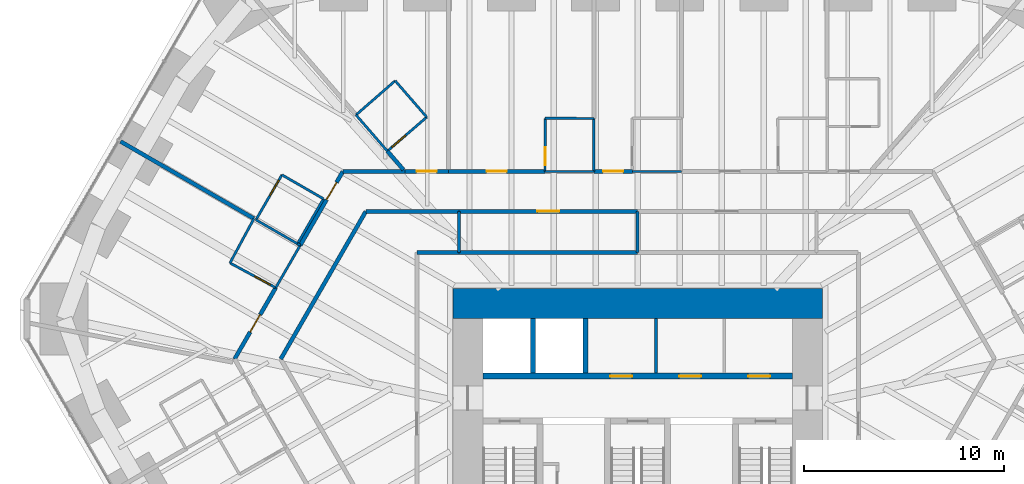
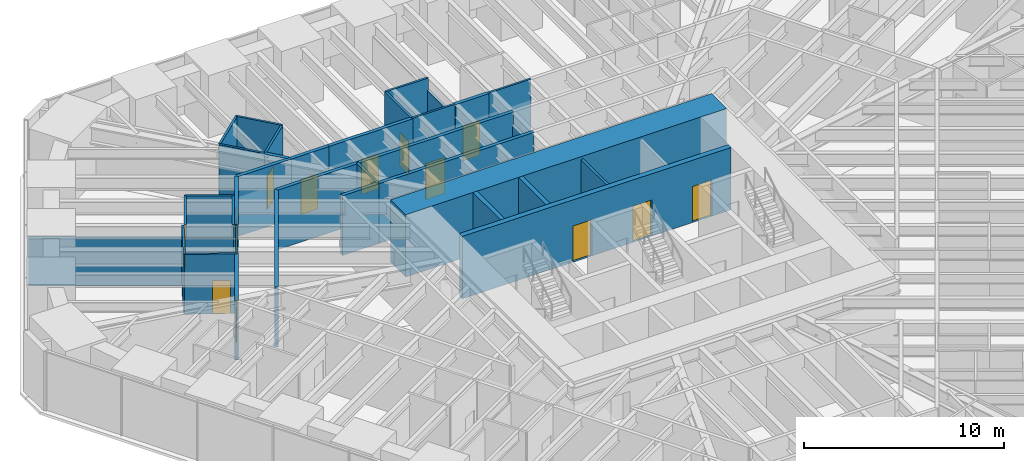
# One storey, part 14 of 17: 37 walls, 13 doors, 13 openings.
"""IFC4 building model written with IfcOpenShell, lengths in metres."""

from ifc_helpers import new_model, si_unit, direction, frame, frame_2d, origin, place, context, subcontext, project, spatial, rectangle, extrude, material, layer, layer_set, type_object, element, fill, save


model = new_model("IFC4")

# Units and contexts
model_context = context("Model", 3, precision=1e-05, world=origin(), true_north=direction((0.0, 1.0)))
body_context = subcontext(model_context, "Body", "Model", "MODEL_VIEW")
ifc_project = project(units=[si_unit("LENGTHUNIT", "METRE"), si_unit("AREAUNIT", "SQUARE_METRE"), si_unit("VOLUMEUNIT", "CUBIC_METRE"), si_unit("PLANEANGLEUNIT", "RADIAN"), si_unit("MASSUNIT", "GRAM", prefix="KILO")], contexts=[model_context])

# Site, building, storey
site_placement = place(None, origin())
site = spatial("IfcSite", under=ifc_project, at=site_placement, CompositionType="ELEMENT")
building_placement = place(site_placement, origin())
building = spatial("IfcBuilding", under=site, at=building_placement, Name="Sandreach Pilgrim Tower", CompositionType="ELEMENT")
storey_placement = place(building_placement, frame((0.0, 0.0, 30.60009765625)))
storey = spatial("IfcBuildingStorey", under=building, at=storey_placement, Name="L06", CompositionType="ELEMENT", Elevation=30.60009765625)

# Walls
ifc_material_1 = material(Name="Gypsum board on steel studs", Category="steel")
ifc_layer_1 = layer(ifc_material_1, 0.14990234375)
ifc_layer_set_1 = layer_set([ifc_layer_1], Name="Back of house wall 150")
wall_type_1 = type_object("IfcWallType", Name="Back of house wall 150", PredefinedType="PARTITIONING", material=ifc_layer_set_1)
wall_1_placement = place(storey_placement, frame((-8.93994140625, 11.449951171875, 0.0), z_axis=(0.0, 0.0, 1.0), x_axis=(0.0, -1.0, 0.0)))
element("IfcWall", 1, at=wall_1_placement, inside=storey, type_object=wall_type_1, Name="Back of house wall L06-056", PredefinedType="PARTITIONING", context=body_context, shape_type="SweptSolid", body=[
    extrude(rectangle(XDim=2.050048828125, YDim=0.14990234375, at=frame_2d((1.02490234375, 0.0))), origin(), (0.0, 0.0, 1.0), 3.639892578125),
])
wall_2_placement = place(storey_placement, frame((0.0, 11.449951171875, 0.0), z_axis=(0.0, 0.0, 1.0), x_axis=(0.0, -1.0, 0.0)))
element("IfcWall", 2, at=wall_2_placement, inside=storey, type_object=wall_type_1, Name="Back of house wall L06-085", PredefinedType="PARTITIONING", context=body_context, shape_type="SweptSolid", body=[
    extrude(rectangle(XDim=2.050048828125, YDim=0.14990234375, at=frame_2d((1.02490234375, 0.0))), origin(), (0.0, 0.0, 1.0), 2.8779296875),
])
wall_3_placement = place(storey_placement, frame((0.916748046875, 3.35009765625, 0.0), z_axis=(0.0, 0.0, 1.0), x_axis=(0.0, 1.0, 0.0)))
element("IfcWall", 3, at=wall_3_placement, inside=storey, type_object=wall_type_1, Name="Core room partition L06 1", PredefinedType="PARTITIONING", context=body_context, shape_type="SweptSolid", body=[
    extrude(rectangle(XDim=2.75, YDim=0.14990234375, at=frame_2d((1.375, 0.0))), origin(), (0.0, 0.0, 1.0), 3.639892578125),
])

# Wall, opening, door
ifc_material_2 = material(Name="Moisture-resistant gypsum board on steel studs", Category="steel")
ifc_layer_2 = layer(ifc_material_2, 0.1201171875)
ifc_layer_set_2 = layer_set([ifc_layer_2], Name="Bathroom partition 120")
wall_type_2 = type_object("IfcWallType", Name="Bathroom partition 120", PredefinedType="PARTITIONING", material=ifc_layer_set_2)
wall_4_placement = place(storey_placement, frame((-20.409912109375, 8.8701171875, 0.0), z_axis=(0.0, 0.0, 1.0), x_axis=(0.879324680711, -0.476222748189, 0.0)))
wall_4 = element("IfcWall", 4, at=wall_4_placement, inside=storey, type_object=wall_type_2, Name="Bathroom partition L06-012", PredefinedType="PARTITIONING", context=body_context, shape_type="SweptSolid", body=[
    extrude(rectangle(XDim=2.604248046875, YDim=0.1201171875, at=frame_2d((1.30224609375, 0.0))), origin(), (0.0, 0.0, 1.0), 3.639892578125),
])
opening_1_placement = place(wall_4_placement, frame((1.404296875, 0.0, 0.0)))
opening_1 = element("IfcOpeningElement", 5, at=opening_1_placement, cuts=wall_4, Name="Opening D09-20B", PredefinedType="OPENING", context=body_context, shape_type="SweptSolid", body=[
    extrude(rectangle(XDim=0.89990234375, YDim=2.030029296875, at=frame_2d((0.449951171875, 1.01513671875))), frame((0.0, 0.06005859375, 0.0), z_axis=(0.0, -1.0, 0.0), x_axis=(1.0, 0.0, 0.0)), (0.0, 0.0, 1.0), 0.1201171875),
])
ifc_material_3 = material(Name="Timber door, steel frame", Category="steel")
door_type_1 = type_object("IfcDoorType", Name="Bathroom door", OperationType="SINGLE_SWING_LEFT", PredefinedType="DOOR", material=ifc_material_3)
door_1_placement = place(opening_1_placement, origin())
door_1 = element("IfcDoor", 6, at=door_1_placement, inside=storey, type_object=door_type_1, Name="Door 0620B", OperationType="SINGLE_SWING_RIGHT", OverallHeight=2.030029296875, OverallWidth=0.89990234375, PredefinedType="DOOR", context=body_context, shape_type="SweptSolid", body=[
    extrude(rectangle(XDim=0.89990234375, YDim=2.030029296875, at=frame_2d((0.449951171875, 1.01513671875))), frame((0.0, 0.02490234375, 0.0), z_axis=(0.0, -1.0, 0.0), x_axis=(1.0, 0.0, 0.0)), (0.0, 0.0, 1.0), 0.050048828125),
])
fill(opening_1, door_1)

# Walls
wall_5_placement = place(storey_placement, frame((-19.2099609375, 11.090087890625, 0.0), z_axis=(0.0, 0.0, 1.0), x_axis=(-0.475466449919, -0.879733854641, 0.0)))
element("IfcWall", 7, at=wall_5_placement, inside=storey, type_object=wall_type_2, Name="Bathroom partition L06-018", PredefinedType="PARTITIONING", context=body_context, shape_type="SweptSolid", body=[
    extrude(rectangle(XDim=2.523681640625, YDim=0.1201171875, at=frame_2d((1.26171875, 0.0))), origin(), (0.0, 0.0, 1.0), 3.639892578125),
])
wall_6_placement = place(storey_placement, frame((-19.110107421875, 11.030029296875, 0.0), z_axis=(0.0, 0.0, 1.0), x_axis=(0.866202511239, -0.499693115345, 0.0)))
element("IfcWall", 8, at=wall_6_placement, inside=storey, type_object=wall_type_2, Name="Bathroom partition L06-019", PredefinedType="PARTITIONING", context=body_context, shape_type="SweptSolid", body=[
    extrude(rectangle(XDim=2.4013671875, YDim=0.1201171875, at=frame_2d((1.20068359375, 0.0))), origin(), (0.0, 0.0, 1.0), 2.860107421875),
])
wall_7_placement = place(storey_placement, frame((-18.11962890625, 7.629638671875, 0.0), z_axis=(0.0, 0.0, 1.0), x_axis=(0.499957770222, 0.866049783786, 0.0)))
element("IfcWall", 9, at=wall_7_placement, inside=storey, type_object=wall_type_2, Name="Bathroom partition L06-021", PredefinedType="PARTITIONING", context=body_context, shape_type="SweptSolid", body=[
    extrude(rectangle(XDim=2.454833984375, YDim=0.1201171875, at=frame_2d((1.2275390625, 0.0))), origin(), (0.0, 0.0, 1.0), 3.639892578125),
])

# Wall, opening, door
wall_8_placement = place(storey_placement, frame((-17.81005859375, 13.280029296875, 0.0), z_axis=(0.0, 0.0, 1.0), x_axis=(-0.500291685314, -0.865856933682, 0.0)))
wall_8 = element("IfcWall", 10, at=wall_8_placement, inside=storey, type_object=wall_type_2, Name="Bathroom partition L06-023", PredefinedType="PARTITIONING", context=body_context, shape_type="SweptSolid", body=[
    extrude(rectangle(XDim=2.5986328125, YDim=0.1201171875, at=frame_2d((1.29931640625, 0.0))), origin(), (0.0, 0.0, 1.0), 3.639892578125),
])
opening_2_placement = place(wall_8_placement, frame((0.300048828125, 0.0, 0.0)))
opening_2 = element("IfcOpeningElement", 11, at=opening_2_placement, cuts=wall_8, Name="Opening D09-21B", PredefinedType="OPENING", context=body_context, shape_type="SweptSolid", body=[
    extrude(rectangle(XDim=0.89990234375, YDim=2.030029296875, at=frame_2d((0.449951171875, 1.01513671875))), frame((0.0, 0.06005859375, 0.0), z_axis=(0.0, -1.0, 0.0), x_axis=(1.0, 0.0, 0.0)), (0.0, 0.0, 1.0), 0.1201171875),
])
door_2_placement = place(opening_2_placement, origin())
door_2 = element("IfcDoor", 12, at=door_2_placement, inside=storey, type_object=door_type_1, Name="Door 0621B", OperationType="SINGLE_SWING_LEFT", OverallHeight=2.030029296875, OverallWidth=0.89990234375, PredefinedType="DOOR", context=body_context, shape_type="SweptSolid", body=[
    extrude(rectangle(XDim=0.89990234375, YDim=2.030029296875, at=frame_2d((0.449951171875, 1.01513671875))), frame((0.0, 0.02490234375, 0.0), z_axis=(0.0, -1.0, 0.0), x_axis=(1.0, 0.0, 0.0)), (0.0, 0.0, 1.0), 0.050048828125),
])
fill(opening_2, door_2)

# Walls
wall_9_placement = place(storey_placement, frame((-17.030029296875, 9.830078125, 0.0), z_axis=(0.0, 0.0, 1.0), x_axis=(0.880098986228, -0.47479024257, 0.0)))
element("IfcWall", 13, at=wall_9_placement, inside=storey, type_object=wall_type_2, Name="Bathroom partition L06-025", PredefinedType="PARTITIONING", context=body_context, shape_type="SweptSolid", body=[
    extrude(rectangle(XDim=0.1474609375, YDim=0.1201171875, at=frame_2d((0.07373046875, 0.0))), origin(), (0.0, 0.0, 1.0), 3.639892578125),
])
wall_10_placement = place(storey_placement, frame((-17.030029296875, 9.830078125, 0.0), z_axis=(0.0, 0.0, 1.0), x_axis=(0.500291685314, 0.865856933682, 0.0)))
element("IfcWall", 14, at=wall_10_placement, inside=storey, type_object=wall_type_2, Name="Bathroom partition L06-026", PredefinedType="PARTITIONING", context=body_context, shape_type="SweptSolid", body=[
    extrude(rectangle(XDim=2.5986328125, YDim=0.1201171875, at=frame_2d((1.29931640625, 0.0))), origin(), (0.0, 0.0, 1.0), 3.639892578125),
])
wall_11_placement = place(storey_placement, frame((-15.72998046875, 12.080078125, 0.0), z_axis=(0.0, 0.0, 1.0), x_axis=(-0.866202511239, 0.499693115345, 0.0)))
element("IfcWall", 15, at=wall_11_placement, inside=storey, type_object=wall_type_2, Name="Bathroom partition L06-030", PredefinedType="PARTITIONING", context=body_context, shape_type="SweptSolid", body=[
    extrude(rectangle(XDim=2.4013671875, YDim=0.1201171875, at=frame_2d((1.20068359375, 0.0))), origin(), (0.0, 0.0, 1.0), 3.639892578125),
])
wall_12_placement = place(storey_placement, frame((-14.101318359375, 16.27880859375, 0.0), z_axis=(0.0, 0.0, 1.0), x_axis=(0.654868469202, -0.755742871647, 0.0)))
element("IfcWall", 16, at=wall_12_placement, inside=storey, type_object=wall_type_2, Name="Bathroom partition L06-036", PredefinedType="PARTITIONING", context=body_context, shape_type="SweptSolid", body=[
    extrude(rectangle(XDim=2.39599609375, YDim=0.1201171875, at=frame_2d((1.197998046875, 0.0))), origin(), (0.0, 0.0, 1.0), 3.639892578125),
])

# Wall, opening, door
wall_13_placement = place(storey_placement, frame((-12.530029296875, 14.469970703125, 0.0), z_axis=(0.0, 0.0, 1.0), x_axis=(0.757086659925, 0.653314464377, 0.0)))
wall_13 = element("IfcWall", 17, at=wall_13_placement, inside=storey, type_object=wall_type_2, Name="Bathroom partition L06-042", PredefinedType="PARTITIONING", context=body_context, shape_type="SweptSolid", body=[
    extrude(rectangle(XDim=2.60205078125, YDim=0.1201171875, at=frame_2d((1.301025390625, 0.0))), origin(), (0.0, 0.0, 1.0), 3.639892578125),
])
opening_3_placement = place(wall_13_placement, frame((0.300048828125, 0.0, 0.0)))
opening_3 = element("IfcOpeningElement", 18, at=opening_3_placement, cuts=wall_13, Name="Opening D09-01B", PredefinedType="OPENING", context=body_context, shape_type="SweptSolid", body=[
    extrude(rectangle(XDim=0.89990234375, YDim=2.030029296875, at=frame_2d((0.449951171875, 1.01513671875))), frame((0.0, 0.06005859375, 0.0), z_axis=(0.0, -1.0, 0.0), x_axis=(1.0, 0.0, 0.0)), (0.0, 0.0, 1.0), 0.1201171875),
])
door_3_placement = place(opening_3_placement, origin())
door_3 = element("IfcDoor", 19, at=door_3_placement, inside=storey, type_object=door_type_1, Name="Door 0601B", OperationType="SINGLE_SWING_LEFT", OverallHeight=2.030029296875, OverallWidth=0.89990234375, PredefinedType="DOOR", context=body_context, shape_type="SweptSolid", body=[
    extrude(rectangle(XDim=0.89990234375, YDim=2.030029296875, at=frame_2d((0.449951171875, 1.01513671875))), frame((0.0, 0.02490234375, 0.0), z_axis=(0.0, -1.0, 0.0), x_axis=(1.0, 0.0, 0.0)), (0.0, 0.0, 1.0), 0.050048828125),
])
fill(opening_3, door_3)

# Walls
wall_14_placement = place(storey_placement, frame((-12.139892578125, 17.989990234375, 0.0), z_axis=(0.0, 0.0, 1.0), x_axis=(-0.753570046386, -0.657367617996, 0.0)))
element("IfcWall", 20, at=wall_14_placement, inside=storey, type_object=wall_type_2, Name="Bathroom partition L06-044", PredefinedType="PARTITIONING", context=body_context, shape_type="SweptSolid", body=[
    extrude(rectangle(XDim=2.601318359375, YDim=0.1201171875, at=frame_2d((1.30078125, 0.0))), origin(), (0.0, 0.0, 1.0), 3.639892578125),
])
wall_15_placement = place(storey_placement, frame((-10.56005859375, 16.169921875, 0.0), z_axis=(0.0, 0.0, 1.0), x_axis=(-0.65550883331, 0.755187506155, 0.0)))
element("IfcWall", 21, at=wall_15_placement, inside=storey, type_object=wall_type_2, Name="Bathroom partition L06-049", PredefinedType="PARTITIONING", context=body_context, shape_type="SweptSolid", body=[
    extrude(rectangle(XDim=2.41015625, YDim=0.1201171875, at=frame_2d((1.205078125, 0.0))), origin(), (0.0, 0.0, 1.0), 3.639892578125),
])

# Wall, opening, door
wall_16_placement = place(storey_placement, frame((-4.6298828125, 16.110107421875, 0.0), z_axis=(0.0, 0.0, 1.0), x_axis=(-0.003762822113, -0.99999292056, 0.0)))
wall_16 = element("IfcWall", 22, at=wall_16_placement, inside=storey, type_object=wall_type_2, Name="Bathroom partition L06-065", PredefinedType="PARTITIONING", context=body_context, shape_type="SweptSolid", body=[
    extrude(rectangle(XDim=2.66015625, YDim=0.1201171875, at=frame_2d((1.330078125, 0.0))), origin(), (0.0, 0.0, 1.0), 3.639892578125),
])
opening_4_placement = place(wall_16_placement, frame((1.4599609375, 0.0, 0.0)))
opening_4 = element("IfcOpeningElement", 23, at=opening_4_placement, cuts=wall_16, Name="Opening D09-02B", PredefinedType="OPENING", context=body_context, shape_type="SweptSolid", body=[
    extrude(rectangle(XDim=0.89990234375, YDim=2.030029296875, at=frame_2d((0.449951171875, 1.01513671875))), frame((0.0, 0.06005859375, 0.0), z_axis=(0.0, -1.0, 0.0), x_axis=(1.0, 0.0, 0.0)), (0.0, 0.0, 1.0), 0.1201171875),
])
door_4_placement = place(opening_4_placement, origin())
door_4 = element("IfcDoor", 24, at=door_4_placement, inside=storey, type_object=door_type_1, Name="Door 0602B", OperationType="SINGLE_SWING_RIGHT", OverallHeight=2.030029296875, OverallWidth=0.89990234375, PredefinedType="DOOR", context=body_context, shape_type="SweptSolid", body=[
    extrude(rectangle(XDim=0.89990234375, YDim=2.030029296875, at=frame_2d((0.449951171875, 1.01513671875))), frame((0.0, 0.02490234375, 0.0), z_axis=(0.0, -1.0, 0.0), x_axis=(1.0, 0.0, 0.0)), (0.0, 0.0, 1.0), 0.050048828125),
])
fill(opening_4, door_4)

# Walls
wall_17_placement = place(storey_placement, frame((-2.18994140625, 13.449951171875, 0.0), z_axis=(0.0, 0.0, 1.0), x_axis=(-1.0, 0.0, 0.0)))
element("IfcWall", 25, at=wall_17_placement, inside=storey, type_object=wall_type_2, Name="Bathroom partition L06-071", PredefinedType="PARTITIONING", context=body_context, shape_type="SweptSolid", body=[
    extrude(rectangle(XDim=2.449951171875, YDim=0.1201171875, at=frame_2d((1.22509765625, 0.0))), origin(), (0.0, 0.0, 1.0), 3.639892578125),
])
wall_18_placement = place(storey_placement, frame((-2.18994140625, 16.10009765625, 0.0), z_axis=(0.0, 0.0, 1.0), x_axis=(-0.999991585011, 0.004102426955, 0.0)))
element("IfcWall", 26, at=wall_18_placement, inside=storey, type_object=wall_type_2, Name="Bathroom partition L06-072", PredefinedType="PARTITIONING", context=body_context, shape_type="SweptSolid", body=[
    extrude(rectangle(XDim=2.43994140625, YDim=0.1201171875, at=frame_2d((1.219970703125, 0.0))), origin(), (0.0, 0.0, 1.0), 3.639892578125),
])
wall_19_placement = place(storey_placement, frame((-2.18994140625, 16.10009765625, 0.0), z_axis=(0.0, 0.0, 1.0), x_axis=(0.0, -1.0, 0.0)))
element("IfcWall", 27, at=wall_19_placement, inside=storey, type_object=wall_type_2, Name="Bathroom partition L06-073", PredefinedType="PARTITIONING", context=body_context, shape_type="SweptSolid", body=[
    extrude(rectangle(XDim=2.650146484375, YDim=0.1201171875, at=frame_2d((1.3251953125, 0.0))), origin(), (0.0, 0.0, 1.0), 2.8779296875),
])
wall_20_placement = place(storey_placement, frame((2.18994140625, 13.449951171875, 0.0), z_axis=(0.0, 0.0, 1.0), x_axis=(-1.0, 0.0, 0.0)))
element("IfcWall", 28, at=wall_20_placement, inside=storey, type_object=wall_type_2, Name="Bathroom partition L06-089", PredefinedType="PARTITIONING", context=body_context, shape_type="SweptSolid", body=[
    extrude(rectangle(XDim=2.4599609375, YDim=0.1201171875, at=frame_2d((1.22998046875, 0.0))), origin(), (0.0, 0.0, 1.0), 3.639892578125),
])

# Wall, openings, doors
ifc_material_4 = material(Name="Concrete 10000 psi", Category="concrete")
ifc_layer_3 = layer(ifc_material_4, 0.300048828125)
ifc_layer_set_3 = layer_set([ifc_layer_3], Name="Core inner wall 300")
wall_type_3 = type_object("IfcWallType", Name="Core inner wall 300", PredefinedType="SHEAR", material=ifc_layer_set_3)
wall_21_placement = place(storey_placement, frame((-7.75, 3.199951171875, 0.0), z_axis=(0.0, 0.0, 1.0), x_axis=(1.0, 0.0, 0.0)))
wall_21 = element("IfcWall", 29, at=wall_21_placement, inside=storey, type_object=wall_type_3, Name="Core wall PN L06", PredefinedType="SHEAR", context=body_context, shape_type="SweptSolid", body=[
    extrude(rectangle(XDim=15.5, YDim=0.300048828125, at=frame_2d((7.75, 0.0))), origin(), (0.0, 0.0, 1.0), 3.7998046875),
])
opening_5_placement = place(wall_21_placement, frame((6.370849609375, 0.0, 0.0)))
opening_5 = element("IfcOpeningElement", 30, at=opening_5_placement, cuts=wall_21, Name="Opening D11L", PredefinedType="OPENING", context=body_context, shape_type="SweptSolid", body=[
    extrude(rectangle(XDim=1.10009765625, YDim=2.199951171875, at=frame_2d((0.550048828125, 1.10009765625))), frame((0.0, 0.14990234375, 0.0), z_axis=(0.0, -1.0, 0.0), x_axis=(1.0, 0.0, 0.0)), (0.0, 0.0, 1.0), 0.300048828125),
])
opening_6_placement = place(wall_21_placement, frame((9.824951171875, 0.0, 0.0)))
opening_6 = element("IfcOpeningElement", 31, at=opening_6_placement, cuts=wall_21, Name="Opening D11L", PredefinedType="OPENING", context=body_context, shape_type="SweptSolid", body=[
    extrude(rectangle(XDim=1.10009765625, YDim=2.199951171875, at=frame_2d((0.550048828125, 1.10009765625))), frame((0.0, 0.14990234375, 0.0), z_axis=(0.0, -1.0, 0.0), x_axis=(1.0, 0.0, 0.0)), (0.0, 0.0, 1.0), 0.300048828125),
])
opening_7_placement = place(wall_21_placement, frame((13.279052734375, 0.0, 0.0)))
opening_7 = element("IfcOpeningElement", 32, at=opening_7_placement, cuts=wall_21, Name="Opening D11L", PredefinedType="OPENING", context=body_context, shape_type="SweptSolid", body=[
    extrude(rectangle(XDim=1.10009765625, YDim=2.199951171875, at=frame_2d((0.550048828125, 1.10009765625))), frame((0.0, 0.14990234375, 0.0), z_axis=(0.0, -1.0, 0.0), x_axis=(1.0, 0.0, 0.0)), (0.0, 0.0, 1.0), 0.300048828125),
])
ifc_material_5 = material(Name="Steel door and frame, smoke seals", Category="steel")
door_type_2 = type_object("IfcDoorType", Name="Core room door", OperationType="SINGLE_SWING_LEFT", PredefinedType="DOOR", material=ifc_material_5)
door_5_placement = place(opening_5_placement, origin())
door_5 = element("IfcDoor", 33, at=door_5_placement, inside=storey, type_object=door_type_2, Name="Door linen and housekeeping store 06K1", OperationType="SINGLE_SWING_LEFT", OverallHeight=2.199951171875, OverallWidth=1.10009765625, PredefinedType="DOOR", context=body_context, shape_type="SweptSolid", body=[
    extrude(rectangle(XDim=1.10009765625, YDim=2.199951171875, at=frame_2d((0.550048828125, 1.10009765625))), frame((0.0, 0.02490234375, 0.0), z_axis=(0.0, -1.0, 0.0), x_axis=(1.0, 0.0, 0.0)), (0.0, 0.0, 1.0), 0.050048828125),
])
fill(opening_5, door_5)
door_6_placement = place(opening_6_placement, origin())
door_6 = element("IfcDoor", 34, at=door_6_placement, inside=storey, type_object=door_type_2, Name="Door cleaners store 06K2", OperationType="SINGLE_SWING_RIGHT", OverallHeight=2.199951171875, OverallWidth=1.10009765625, PredefinedType="DOOR", context=body_context, shape_type="SweptSolid", body=[
    extrude(rectangle(XDim=1.10009765625, YDim=2.199951171875, at=frame_2d((0.550048828125, 1.10009765625))), frame((0.0, 0.02490234375, 0.0), z_axis=(0.0, -1.0, 0.0), x_axis=(1.0, 0.0, 0.0)), (0.0, 0.0, 1.0), 0.050048828125),
])
fill(opening_6, door_6)
door_7_placement = place(opening_7_placement, origin())
door_7 = element("IfcDoor", 35, at=door_7_placement, inside=storey, type_object=door_type_2, Name="Door storage room 06K3", OperationType="SINGLE_SWING_RIGHT", OverallHeight=2.199951171875, OverallWidth=1.10009765625, PredefinedType="DOOR", context=body_context, shape_type="SweptSolid", body=[
    extrude(rectangle(XDim=1.10009765625, YDim=2.199951171875, at=frame_2d((0.550048828125, 1.10009765625))), frame((0.0, 0.02490234375, 0.0), z_axis=(0.0, -1.0, 0.0), x_axis=(1.0, 0.0, 0.0)), (0.0, 0.0, 1.0), 0.050048828125),
])
fill(opening_7, door_7)

# Wall
ifc_material_6 = material(Name="Concrete 10000 psi", Category="concrete")
ifc_layer_4 = layer(ifc_material_6, 1.5)
ifc_layer_set_4 = layer_set([ifc_layer_4], Name="Core wall 1500")
wall_type_4 = type_object("IfcWallType", Name="Core wall 1500", PredefinedType="SHEAR", material=ifc_layer_set_4)
wall_22_placement = place(storey_placement, frame((-9.25, 6.85009765625, 0.0), z_axis=(0.0, 0.0, 1.0), x_axis=(1.0, 0.0, 0.0)))
element("IfcWall", 36, at=wall_22_placement, inside=storey, type_object=wall_type_4, Name="Core wall N L06", PredefinedType="SHEAR", context=body_context, shape_type="SweptSolid", body=[
    extrude(rectangle(XDim=18.5, YDim=1.5, at=frame_2d((9.25, 0.0))), origin(), (0.0, 0.0, 1.0), 3.7998046875),
])

# Wall, opening, door
ifc_material_7 = material(Name="Gypsum board on steel studs, two layers each side", Category="steel")
ifc_layer_5 = layer(ifc_material_7, 0.199951171875)
ifc_layer_set_5 = layer_set([ifc_layer_5], Name="Corridor wall 200")
wall_type_5 = type_object("IfcWallType", Name="Corridor wall 200", PredefinedType="PARTITIONING", material=ifc_layer_set_5)
wall_23_placement = place(storey_placement, frame((-20.179931640625, 4.06005859375, 0.0), z_axis=(0.0, 0.0, 1.0), x_axis=(0.499891670567, 0.866087938779, 0.0)))
wall_23 = element("IfcWall", 37, at=wall_23_placement, inside=storey, type_object=wall_type_5, Name="Corridor wall L06-015", PredefinedType="PARTITIONING", context=body_context, shape_type="SweptSolid", body=[
    extrude(rectangle(XDim=4.12158203125, YDim=0.199951171875, at=frame_2d((2.060791015625, 0.0))), origin(), (0.0, 0.0, 1.0), 3.639892578125),
])
opening_8_placement = place(wall_23_placement, frame((1.560791015625, 0.0, 0.0)))
opening_8 = element("IfcOpeningElement", 38, at=opening_8_placement, cuts=wall_23, Name="Opening D10-20", PredefinedType="OPENING", context=body_context, shape_type="SweptSolid", body=[
    extrude(rectangle(XDim=1.0, YDim=2.1298828125, at=frame_2d((0.5, 1.06494140625))), frame((0.0, 0.10009765625, 0.0), z_axis=(0.0, -1.0, 0.0), x_axis=(1.0, 0.0, 0.0)), (0.0, 0.0, 1.0), 0.199951171875),
])
ifc_material_8 = material(Name="Steel door and frame", Category="steel")
door_type_3 = type_object("IfcDoorType", Name="Guest room entry door", OperationType="SINGLE_SWING_LEFT", PredefinedType="DOOR", material=ifc_material_8)
door_8_placement = place(opening_8_placement, origin())
door_8 = element("IfcDoor", 39, at=door_8_placement, inside=storey, type_object=door_type_3, Name="Door 0620", OperationType="SINGLE_SWING_LEFT", OverallHeight=2.1298828125, OverallWidth=1.0, PredefinedType="DOOR", context=body_context, shape_type="SweptSolid", body=[
    extrude(rectangle(XDim=1.0, YDim=2.1298828125, at=frame_2d((0.5, 1.06494140625))), frame((0.0, 0.02490234375, 0.0), z_axis=(0.0, -1.0, 0.0), x_axis=(1.0, 0.0, 0.0)), (0.0, 0.0, 1.0), 0.050048828125),
])
fill(opening_8, door_8)

# Wall
wall_24_placement = place(storey_placement, frame((-17.8701171875, 4.06005859375, 0.0), z_axis=(0.0, 0.0, 1.0), x_axis=(0.499424260127, 0.866357552282, 0.0)))
element("IfcWall", 40, at=wall_24_placement, inside=storey, type_object=wall_type_5, Name="Corridor wall L06-022", PredefinedType="PARTITIONING", context=body_context, shape_type="SweptSolid", body=[
    extrude(rectangle(XDim=8.52978515625, YDim=0.199951171875, at=frame_2d((4.264892578125, 0.0))), origin(), (0.0, 0.0, 1.0), 3.639892578125),
])

# Wall, opening, door
wall_25_placement = place(storey_placement, frame((-16.892333984375, 9.755615234375, 0.0), z_axis=(0.0, 0.0, 1.0), x_axis=(0.499894213467, 0.866086471054, 0.0)))
wall_25 = element("IfcWall", 41, at=wall_25_placement, inside=storey, type_object=wall_type_5, Name="Corridor wall L06-027", PredefinedType="PARTITIONING", context=body_context, shape_type="SweptSolid", body=[
    extrude(rectangle(XDim=4.265625, YDim=0.199951171875, at=frame_2d((2.1328125, 0.0))), origin(), (0.0, 0.0, 1.0), 3.639892578125),
])
opening_9_placement = place(wall_25_placement, frame((2.6328125, 0.0, 0.0)))
opening_9 = element("IfcOpeningElement", 42, at=opening_9_placement, cuts=wall_25, Name="Opening D10-21", PredefinedType="OPENING", context=body_context, shape_type="SweptSolid", body=[
    extrude(rectangle(XDim=1.0, YDim=2.1298828125, at=frame_2d((0.5, 1.06494140625))), frame((0.0, 0.10009765625, 0.0), z_axis=(0.0, -1.0, 0.0), x_axis=(1.0, 0.0, 0.0)), (0.0, 0.0, 1.0), 0.199951171875),
])
door_9_placement = place(opening_9_placement, origin())
door_9 = element("IfcDoor", 43, at=door_9_placement, inside=storey, type_object=door_type_3, Name="Door 0621", OperationType="SINGLE_SWING_RIGHT", OverallHeight=2.1298828125, OverallWidth=1.0, PredefinedType="DOOR", context=body_context, shape_type="SweptSolid", body=[
    extrude(rectangle(XDim=1.0, YDim=2.1298828125, at=frame_2d((0.5, 1.06494140625))), frame((0.0, 0.02490234375, 0.0), z_axis=(0.0, -1.0, 0.0), x_axis=(1.0, 0.0, 0.0)), (0.0, 0.0, 1.0), 0.050048828125),
])
fill(opening_9, door_9)

# Walls
wall_26_placement = place(storey_placement, frame((-13.610107421875, 11.449951171875, 0.0), z_axis=(0.0, 0.0, 1.0), x_axis=(1.0, 0.0, 0.0)))
element("IfcWall", 44, at=wall_26_placement, inside=storey, type_object=wall_type_5, Name="Corridor wall L06-037", PredefinedType="PARTITIONING", context=body_context, shape_type="SweptSolid", body=[
    extrude(rectangle(XDim=4.670166015625, YDim=0.199951171875, at=frame_2d((2.3349609375, 0.0))), origin(), (0.0, 0.0, 1.0), 3.639892578125),
])
wall_27_placement = place(storey_placement, frame((-11.64990234375, 13.449951171875, 0.0), z_axis=(0.0, 0.0, 1.0), x_axis=(-1.0, 0.0, 0.0)))
element("IfcWall", 45, at=wall_27_placement, inside=storey, type_object=wall_type_5, Name="Corridor wall L06-045", PredefinedType="PARTITIONING", context=body_context, shape_type="SweptSolid", body=[
    extrude(rectangle(XDim=3.110107421875, YDim=0.199951171875, at=frame_2d((1.55517578125, 0.0))), origin(), (0.0, 0.0, 1.0), 3.639892578125),
])

# Wall, opening, door
wall_28_placement = place(storey_placement, frame((-9.47998046875, 13.449951171875, 0.0), z_axis=(0.0, 0.0, 1.0), x_axis=(-1.0, 0.0, 0.0)))
wall_28 = element("IfcWall", 46, at=wall_28_placement, inside=storey, type_object=wall_type_5, Name="Corridor wall L06-053", PredefinedType="PARTITIONING", context=body_context, shape_type="SweptSolid", body=[
    extrude(rectangle(XDim=2.169921875, YDim=0.199951171875, at=frame_2d((1.0849609375, 0.0))), origin(), (0.0, 0.0, 1.0), 3.639892578125),
])
opening_10_placement = place(wall_28_placement, frame((0.5849609375, 0.0, 0.0)))
opening_10 = element("IfcOpeningElement", 47, at=opening_10_placement, cuts=wall_28, Name="Opening D10-01", PredefinedType="OPENING", context=body_context, shape_type="SweptSolid", body=[
    extrude(rectangle(XDim=1.0, YDim=2.1298828125, at=frame_2d((0.5, 1.06494140625))), frame((0.0, 0.10009765625, 0.0), z_axis=(0.0, -1.0, 0.0), x_axis=(1.0, 0.0, 0.0)), (0.0, 0.0, 1.0), 0.199951171875),
])
door_10_placement = place(opening_10_placement, origin())
door_10 = element("IfcDoor", 48, at=door_10_placement, inside=storey, type_object=door_type_3, Name="Door 0601", OperationType="SINGLE_SWING_LEFT", OverallHeight=2.1298828125, OverallWidth=1.0, PredefinedType="DOOR", context=body_context, shape_type="SweptSolid", body=[
    extrude(rectangle(XDim=1.0, YDim=2.1298828125, at=frame_2d((0.5, 1.06494140625))), frame((0.0, 0.02490234375, 0.0), z_axis=(0.0, -1.0, 0.0), x_axis=(1.0, 0.0, 0.0)), (0.0, 0.0, 1.0), 0.050048828125),
])
fill(opening_10, door_10)

# Wall
wall_29_placement = place(storey_placement, frame((-8.93994140625, 9.39990234375, 0.0), z_axis=(0.0, 0.0, 1.0), x_axis=(-1.0, 0.0, 0.0)))
element("IfcWall", 49, at=wall_29_placement, inside=storey, type_object=wall_type_5, Name="Corridor wall L06-055", PredefinedType="PARTITIONING", context=body_context, shape_type="SweptSolid", body=[
    extrude(rectangle(XDim=2.10009765625, YDim=0.199951171875, at=frame_2d((1.050048828125, 0.0))), origin(), (0.0, 0.0, 1.0), 3.639892578125),
])

# Wall, opening, door
wall_30_placement = place(storey_placement, frame((-8.93994140625, 11.449951171875, 0.0), z_axis=(0.0, 0.0, 1.0), x_axis=(1.0, 0.0, 0.0)))
wall_30 = element("IfcWall", 50, at=wall_30_placement, inside=storey, type_object=wall_type_5, Name="Corridor wall L06-057", PredefinedType="PARTITIONING", context=body_context, shape_type="SweptSolid", body=[
    extrude(rectangle(XDim=8.93994140625, YDim=0.199951171875, at=frame_2d((4.469970703125, 0.0))), origin(), (0.0, 0.0, 1.0), 3.639892578125),
])
opening_11_placement = place(wall_30_placement, frame((3.919921875, 0.0, 0.0)))
opening_11 = element("IfcOpeningElement", 51, at=opening_11_placement, cuts=wall_30, Name="Opening D11H-M02", PredefinedType="OPENING", context=body_context, shape_type="SweptSolid", body=[
    extrude(rectangle(XDim=1.10009765625, YDim=2.199951171875, at=frame_2d((0.550048828125, 1.10009765625))), frame((0.0, 0.10009765625, 0.0), z_axis=(0.0, -1.0, 0.0), x_axis=(1.0, 0.0, 0.0)), (0.0, 0.0, 1.0), 0.199951171875),
])
ifc_material_9 = material(Name="Steel door and frame", Category="steel")
door_type_4 = type_object("IfcDoorType", Name="Back of house door", OperationType="SINGLE_SWING_LEFT", PredefinedType="DOOR", material=ifc_material_9)
door_11_placement = place(opening_11_placement, origin())
door_11 = element("IfcDoor", 52, at=door_11_placement, inside=storey, type_object=door_type_4, Name="Door 06M02", OperationType="SINGLE_SWING_LEFT", OverallHeight=2.199951171875, OverallWidth=1.10009765625, PredefinedType="DOOR", context=body_context, shape_type="SweptSolid", body=[
    extrude(rectangle(XDim=1.10009765625, YDim=2.199951171875, at=frame_2d((0.550048828125, 1.10009765625))), frame((0.0, 0.02490234375, 0.0), z_axis=(0.0, -1.0, 0.0), x_axis=(1.0, 0.0, 0.0)), (0.0, 0.0, 1.0), 0.050048828125),
])
fill(opening_11, door_11)

wall_31_placement = place(storey_placement, frame((-4.639892578125, 13.449951171875, 0.0), z_axis=(0.0, 0.0, 1.0), x_axis=(-1.0, 0.0, 0.0)))
wall_31 = element("IfcWall", 53, at=wall_31_placement, inside=storey, type_object=wall_type_5, Name="Corridor wall L06-064", PredefinedType="PARTITIONING", context=body_context, shape_type="SweptSolid", body=[
    extrude(rectangle(XDim=4.840087890625, YDim=0.199951171875, at=frame_2d((2.419921875, 0.0))), origin(), (0.0, 0.0, 1.0), 3.639892578125),
])
opening_12_placement = place(wall_31_placement, frame((1.919921875, 0.0, 0.0)))
opening_12 = element("IfcOpeningElement", 54, at=opening_12_placement, cuts=wall_31, Name="Opening D10-02", PredefinedType="OPENING", context=body_context, shape_type="SweptSolid", body=[
    extrude(rectangle(XDim=1.0, YDim=2.1298828125, at=frame_2d((0.5, 1.06494140625))), frame((0.0, 0.10009765625, 0.0), z_axis=(0.0, -1.0, 0.0), x_axis=(1.0, 0.0, 0.0)), (0.0, 0.0, 1.0), 0.199951171875),
])
door_12_placement = place(opening_12_placement, origin())
door_12 = element("IfcDoor", 55, at=door_12_placement, inside=storey, type_object=door_type_3, Name="Door 0602", OperationType="SINGLE_SWING_LEFT", OverallHeight=2.1298828125, OverallWidth=1.0, PredefinedType="DOOR", context=body_context, shape_type="SweptSolid", body=[
    extrude(rectangle(XDim=1.0, YDim=2.1298828125, at=frame_2d((0.5, 1.06494140625))), frame((0.0, 0.02490234375, 0.0), z_axis=(0.0, -1.0, 0.0), x_axis=(1.0, 0.0, 0.0)), (0.0, 0.0, 1.0), 0.050048828125),
])
fill(opening_12, door_12)

wall_32_placement = place(storey_placement, frame((-0.27001953125, 13.449951171875, 0.0), z_axis=(0.0, 0.0, 1.0), x_axis=(-1.0, 0.0, 0.0)))
wall_32 = element("IfcWall", 56, at=wall_32_placement, inside=storey, type_object=wall_type_5, Name="Corridor wall L06-075", PredefinedType="PARTITIONING", context=body_context, shape_type="SweptSolid", body=[
    extrude(rectangle(XDim=1.919921875, YDim=0.199951171875, at=frame_2d((0.9599609375, 0.0))), origin(), (0.0, 0.0, 1.0), 3.639892578125),
])
opening_13_placement = place(wall_32_placement, frame((0.4599609375, 0.0, 0.0)))
opening_13 = element("IfcOpeningElement", 57, at=opening_13_placement, cuts=wall_32, Name="Opening D10-03", PredefinedType="OPENING", context=body_context, shape_type="SweptSolid", body=[
    extrude(rectangle(XDim=1.0, YDim=2.1298828125, at=frame_2d((0.5, 1.06494140625))), frame((0.0, 0.10009765625, 0.0), z_axis=(0.0, -1.0, 0.0), x_axis=(1.0, 0.0, 0.0)), (0.0, 0.0, 1.0), 0.199951171875),
])
door_13_placement = place(opening_13_placement, origin())
door_13 = element("IfcDoor", 58, at=door_13_placement, inside=storey, type_object=door_type_3, Name="Door 0603", OperationType="SINGLE_SWING_LEFT", OverallHeight=2.1298828125, OverallWidth=1.0, PredefinedType="DOOR", context=body_context, shape_type="SweptSolid", body=[
    extrude(rectangle(XDim=1.0, YDim=2.1298828125, at=frame_2d((0.5, 1.06494140625))), frame((0.0, 0.02490234375, 0.0), z_axis=(0.0, -1.0, 0.0), x_axis=(1.0, 0.0, 0.0)), (0.0, 0.0, 1.0), 0.050048828125),
])
fill(opening_13, door_13)

# Walls
wall_33_placement = place(storey_placement, frame((0.0, 9.39990234375, 0.0), z_axis=(0.0, 0.0, 1.0), x_axis=(-1.0, 0.0, 0.0)))
element("IfcWall", 59, at=wall_33_placement, inside=storey, type_object=wall_type_5, Name="Corridor wall L06-084", PredefinedType="PARTITIONING", context=body_context, shape_type="SweptSolid", body=[
    extrude(rectangle(XDim=8.93994140625, YDim=0.199951171875, at=frame_2d((4.469970703125, 0.0))), origin(), (0.0, 0.0, 1.0), 3.639892578125),
])
ifc_material_10 = material(Name="Double steel stud acoustic wall, gypsum board", Category="steel")
ifc_layer_6 = layer(ifc_material_10, 0.199951171875)
ifc_layer_set_6 = layer_set([ifc_layer_6], Name="Party wall 200")
wall_type_6 = type_object("IfcWallType", Name="Party wall 200", PredefinedType="PARTITIONING", material=ifc_layer_set_6)
wall_34_placement = place(storey_placement, frame((-25.88623046875, 14.949951171875, 0.0), z_axis=(0.0, 0.0, 1.0), x_axis=(0.865726686167, -0.50051703753, 0.0)))
element("IfcWall", 60, at=wall_34_placement, inside=storey, type_object=wall_type_6, Name="Party wall L06-003", PredefinedType="PARTITIONING", context=body_context, shape_type="SweptSolid", body=[
    extrude(rectangle(XDim=7.711669921875, YDim=0.199951171875, at=frame_2d((3.85595703125, 0.0))), origin(), (0.0, 0.0, 1.0), 2.860107421875),
])
wall_35_placement = place(storey_placement, frame((-12.5322265625, 14.468017578125, 0.0), z_axis=(0.0, 0.0, 1.0), x_axis=(0.654877937884, -0.755734666714, 0.0)))
element("IfcWall", 61, at=wall_35_placement, inside=storey, type_object=wall_type_6, Name="Party wall L06-041", PredefinedType="PARTITIONING", context=body_context, shape_type="SweptSolid", body=[
    extrude(rectangle(XDim=1.237060546875, YDim=0.199951171875, at=frame_2d((0.61865234375, 0.0))), origin(), (0.0, 0.0, 1.0), 3.639892578125),
])
ifc_material_11 = material(Name="Gypsum shaft wall on steel studs, two layers of shaft liner board", Category="steel")
ifc_layer_7 = layer(ifc_material_11, 0.25)
ifc_layer_set_7 = layer_set([ifc_layer_7], Name="Shaft partition 250")
wall_type_7 = type_object("IfcWallType", Name="Shaft partition 250", PredefinedType="PARTITIONING", material=ifc_layer_set_7)
for number, where, z_axis, x_axis, name in (
    (62, (-5.25, 3.35009765625, 0.0), (0.0, 0.0, 1.0), (0.0, 1.0, 0.0), "Shaft partition NS0 L06"),
    (63, (-2.625, 3.35009765625, 0.0), (0.0, 0.0, 1.0), (0.0, 1.0, 0.0), "Shaft partition NS1 L06"),
):
    element("IfcWall", number, at=place(storey_placement, frame(where, z_axis=z_axis, x_axis=x_axis)), inside=storey, type_object=wall_type_7, Name=name, PredefinedType="PARTITIONING", context=body_context, shape_type="SweptSolid", body=[
        extrude(rectangle(XDim=2.75, YDim=0.25, at=frame_2d((1.375, 0.0))), origin(), (0.0, 0.0, 1.0), 3.7998046875),
    ])

save(model, "model.ifc")
